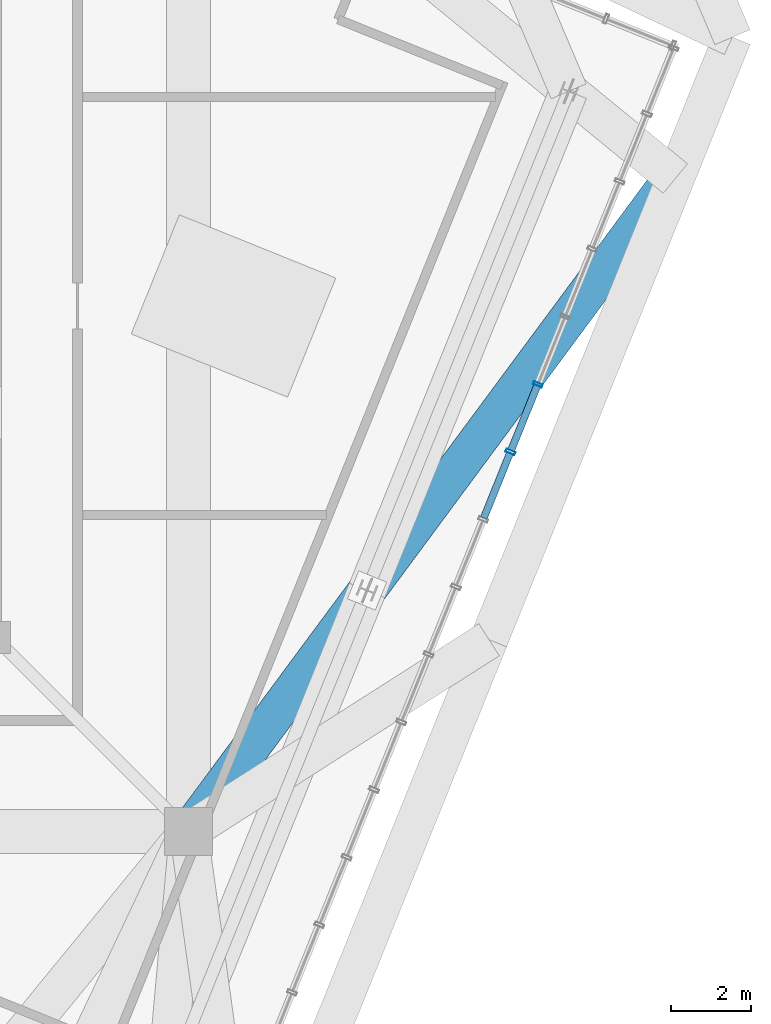
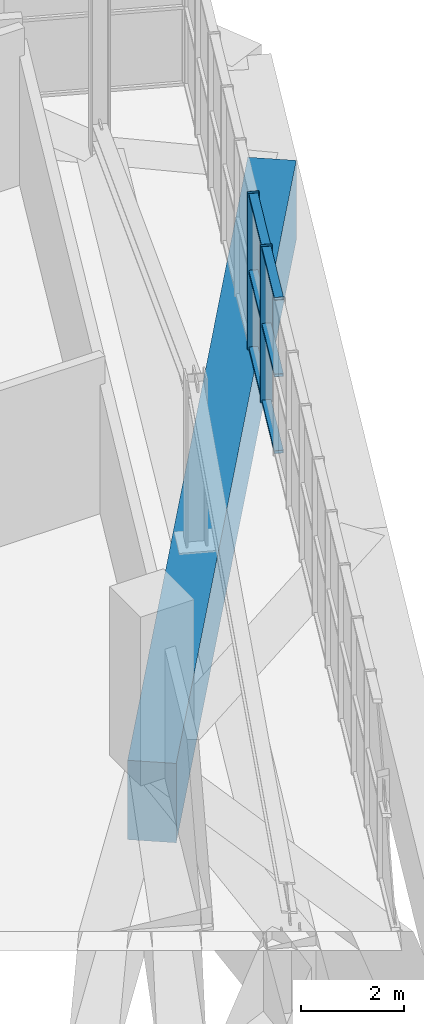
# One storey, part 15 of 35: 8 members, 1 beam, 1 element without a shape of its own.
"""IFC4 building model written with IfcOpenShell, lengths in metres."""

from ifc_helpers import new_model, si_unit, direction, frame, origin, origin_2d, place, context, subcontext, project, spatial, rectangle, hollow_rectangle, extrude, source, transform, mapped, material, layer, layer_set, material_profile, profile_set, type_object, element, aggregate, save


model = new_model("IFC4")

# Units and contexts
model_context = context("Model", 3, precision=1e-05, world=origin(), true_north=direction((0.0, 1.0)))
body_context = subcontext(model_context, "Body", "Model", "MODEL_VIEW")
ifc_project = project(units=[si_unit("LENGTHUNIT", "METRE"), si_unit("AREAUNIT", "SQUARE_METRE"), si_unit("VOLUMEUNIT", "CUBIC_METRE"), si_unit("PLANEANGLEUNIT", "RADIAN"), si_unit("MASSUNIT", "GRAM", prefix="KILO"), si_unit("THERMODYNAMICTEMPERATUREUNIT", "KELVIN")], contexts=[model_context])

# Site, building, storey
site_placement = place(None, origin())
site = spatial("IfcSite", under=ifc_project, at=site_placement, CompositionType="ELEMENT")
building_placement = place(site_placement, origin())
building = spatial("IfcBuilding", under=site, at=building_placement, Name="Kosmvard Interchange Tower", CompositionType="ELEMENT")
storey_placement = place(building_placement, frame((0.0, 0.0, 321.60009765625)))
storey = spatial("IfcBuildingStorey", under=building, at=storey_placement, Name="L79", CompositionType="ELEMENT", Elevation=321.60009765625)

# Beam
ifc_material_1 = material(Name="Concrete C60/75", Category="concrete")
ifc_material_profile_1 = material_profile(ifc_material_1, rectangle(XDim=0.949951171875, YDim=1.8798828125, at=origin_2d()), Name="TG 950x1880")
ifc_profile_set_1 = profile_set([ifc_material_profile_1], Name="Concrete C60/75")
beam_type = type_object("IfcBeamType", Name="Upper Long-Span Transfer Girder 950x1880 C60/75", PredefinedType="USERDEFINED", material=ifc_profile_set_1)
shared_shape_1 = source(origin(), body_context, "Body", "SweptSolid", [
    extrude(rectangle(XDim=0.949951171875, YDim=1.8798828125, at=origin_2d()), origin(), (0.0, 0.0, 1.0), 20.5341796875),
])
beam_placement = place(storey_placement, frame((13.0810546875, -13.0810546875, -0.940185546875), z_axis=(0.595023376931, 0.803708392954, 0.0), x_axis=(-0.803708392954, 0.595023376931, 0.0)))
element("IfcBeam", 1, at=beam_placement, inside=storey, type_object=beam_type, Name="BM-L79-RD02", ObjectType="TRANSFER_GIRDER", PredefinedType="USERDEFINED", context=body_context, shape_type="MappedRepresentation", body=[
    mapped(shared_shape_1, transform((0.0, 0.0, 0.0), scale=1.0)),
])

# Curtain wall, members
ifc_material_2 = material(Name="Architectural anodised aluminium", Category="aluminium")
ifc_layer = layer(ifc_material_2, 0.25, Name="Architectural anodised aluminium")
ifc_layer_set = layer_set([ifc_layer], Name="Architectural anodised aluminium")
curtain_wall_type = type_object("IfcCurtainWallType", Name="CW-6 Illuminated Crown Lantern Curtain Wall", PredefinedType="NOTDEFINED", material=ifc_layer_set)
curtain_wall_placement = place(storey_placement, origin())
curtain_wall = element("IfcCurtainWall", 2, at=curtain_wall_placement, inside=storey, type_object=curtain_wall_type, Name="L79 Crown Lantern Glazing Face 01", PredefinedType="NOTDEFINED")
ifc_material_profile_2 = material_profile(ifc_material_2, hollow_rectangle(XDim=0.239990234375, YDim=0.080078125, WallThickness=0.006103515625, at=origin_2d()), Name="CWM 240x80x6")
ifc_profile_set_2 = profile_set([ifc_material_profile_2], Name="Architectural anodised aluminium")
member_type_1 = type_object("IfcMemberType", Name="Lantern & Observation CW Mullion 240x80 Aluminium", PredefinedType="MULLION", material=ifc_profile_set_2)
shared_shape_2 = source(origin(), body_context, "Body", "SweptSolid", [
    extrude(hollow_rectangle(XDim=0.239990234375, YDim=0.080078125, WallThickness=0.006103515625, at=origin_2d()), origin(), (0.0, 0.0, 1.0), 3.699951171875),
])
member_1_placement = place(storey_placement, frame((21.095703125, -3.6318359375, 0.0), z_axis=(0.0, 0.0, 1.0), x_axis=(-0.927183858065, 0.374606584758, 0.0)))
member_1 = element("IfcMember", 3, at=member_1_placement, type_object=member_type_1, Name="CW-6 mullion 12", PredefinedType="MULLION", context=body_context, shape_type="MappedRepresentation", body=[
    mapped(shared_shape_2, transform((0.0, 0.0, 0.0), scale=1.0)),
])
member_2_placement = place(storey_placement, frame((21.775146484375, -1.94970703125, 0.0), z_axis=(0.0, 0.0, 1.0), x_axis=(-0.927183858065, 0.374606584758, 0.0)))
member_2 = element("IfcMember", 4, at=member_2_placement, type_object=member_type_1, Name="CW-6 mullion 13", PredefinedType="MULLION", context=body_context, shape_type="MappedRepresentation", body=[
    mapped(shared_shape_2, transform((0.0, 0.0, 0.0), scale=1.0)),
])
ifc_material_profile_3 = material_profile(ifc_material_2, hollow_rectangle(XDim=0.179931640625, YDim=0.070068359375, WallThickness=0.0048828125, at=origin_2d()), Name="CWT 180x70x5")
ifc_profile_set_3 = profile_set([ifc_material_profile_3], Name="Architectural anodised aluminium")
member_type_2 = type_object("IfcMemberType", Name="Heavy Lantern CW Transom 180x70 Aluminium", PredefinedType="USERDEFINED", material=ifc_profile_set_3)
shared_shape_3 = source(origin(), body_context, "Body", "SweptSolid", [
    extrude(hollow_rectangle(XDim=0.179931640625, YDim=0.070068359375, WallThickness=0.0048828125, at=origin_2d()), origin(), (0.0, 0.0, 1.0), 1.734130859375),
])
member_3_placement = place(storey_placement, frame((20.43115234375, -5.276611328125, 0.034912109375), z_axis=(0.374495638732, 0.927228675447, 0.0), x_axis=(-0.927228675447, 0.374495638732, 0.0)))
member_3 = element("IfcMember", 5, at=member_3_placement, type_object=member_type_2, Name="CW-6 transom 11.1", ObjectType="TRANSOM", PredefinedType="USERDEFINED", context=body_context, shape_type="MappedRepresentation", body=[
    mapped(shared_shape_3, transform((0.0, 0.0, 0.0), scale=1.0)),
])
member_4_placement = place(storey_placement, frame((20.43115234375, -5.276611328125, 1.849853515625), z_axis=(0.374495638732, 0.927228675447, 0.0), x_axis=(-0.927228675447, 0.374495638732, 0.0)))
member_4 = element("IfcMember", 6, at=member_4_placement, type_object=member_type_2, Name="CW-6 transom 11.2", ObjectType="TRANSOM", PredefinedType="USERDEFINED", context=body_context, shape_type="MappedRepresentation", body=[
    mapped(shared_shape_3, transform((0.0, 0.0, 0.0), scale=1.0)),
])
member_5_placement = place(storey_placement, frame((20.43115234375, -5.276611328125, 3.664794921875), z_axis=(0.374495638732, 0.927228675447, 0.0), x_axis=(-0.927228675447, 0.374495638732, 0.0)))
member_5 = element("IfcMember", 7, at=member_5_placement, type_object=member_type_2, Name="CW-6 transom 11.3", ObjectType="TRANSOM", PredefinedType="USERDEFINED", context=body_context, shape_type="MappedRepresentation", body=[
    mapped(shared_shape_3, transform((0.0, 0.0, 0.0), scale=1.0)),
])
member_6_placement = place(storey_placement, frame((21.110595703125, -3.5947265625, 0.034912109375), z_axis=(0.374616671924, 0.927179782522, 0.0), x_axis=(-0.927179782522, 0.374616671924, 0.0)))
member_6 = element("IfcMember", 8, at=member_6_placement, type_object=member_type_2, Name="CW-6 transom 12.1", ObjectType="TRANSOM", PredefinedType="USERDEFINED", context=body_context, shape_type="MappedRepresentation", body=[
    mapped(shared_shape_3, transform((0.0, 0.0, 0.0), scale=1.0)),
])
member_7_placement = place(storey_placement, frame((21.110595703125, -3.5947265625, 1.849853515625), z_axis=(0.374616671924, 0.927179782522, 0.0), x_axis=(-0.927179782522, 0.374616671924, 0.0)))
member_7 = element("IfcMember", 9, at=member_7_placement, type_object=member_type_2, Name="CW-6 transom 12.2", ObjectType="TRANSOM", PredefinedType="USERDEFINED", context=body_context, shape_type="MappedRepresentation", body=[
    mapped(shared_shape_3, transform((0.0, 0.0, 0.0), scale=1.0)),
])
member_8_placement = place(storey_placement, frame((21.110595703125, -3.5947265625, 3.664794921875), z_axis=(0.374616671924, 0.927179782522, 0.0), x_axis=(-0.927179782522, 0.374616671924, 0.0)))
member_8 = element("IfcMember", 10, at=member_8_placement, type_object=member_type_2, Name="CW-6 transom 12.3", ObjectType="TRANSOM", PredefinedType="USERDEFINED", context=body_context, shape_type="MappedRepresentation", body=[
    mapped(shared_shape_3, transform((0.0, 0.0, 0.0), scale=1.0)),
])
aggregate(curtain_wall, [member_1, member_2, member_3, member_4, member_5, member_6, member_7, member_8])

save(model, "model.ifc")
